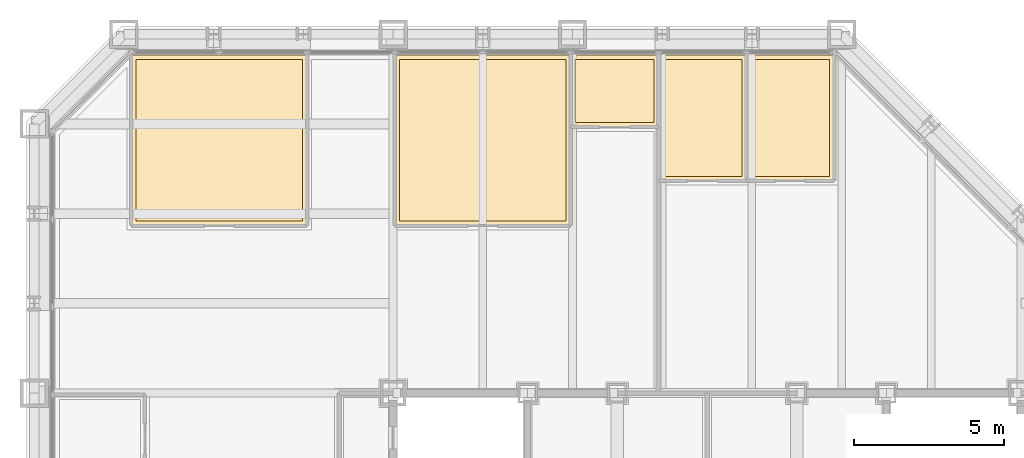
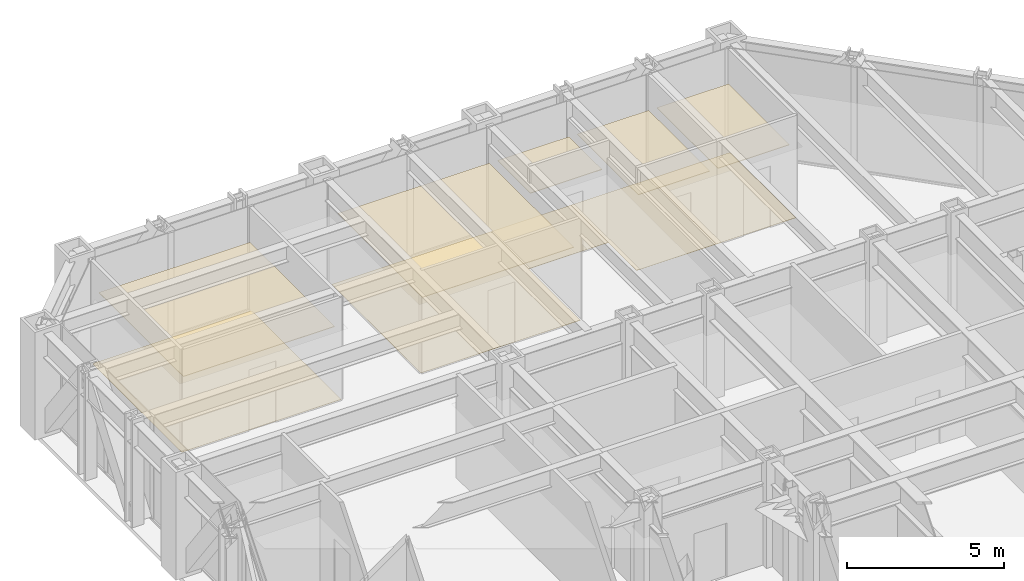
# One storey, part 16 of 16: 10 coverings.
"""IFC4 building model written with IfcOpenShell, lengths in metres."""

from ifc_helpers import new_model, si_unit, direction, frame, origin, place, context, subcontext, project, spatial, polyline, outline, extrude, material, layer, layer_set, type_object, element, save


model = new_model("IFC4")

# Units and contexts
model_context = context("Model", 3, precision=1e-05, world=origin(), true_north=direction((0.0, 1.0)))
body_context = subcontext(model_context, "Body", "Model", "MODEL_VIEW")
ifc_project = project(units=[si_unit("LENGTHUNIT", "METRE"), si_unit("AREAUNIT", "SQUARE_METRE"), si_unit("VOLUMEUNIT", "CUBIC_METRE"), si_unit("PLANEANGLEUNIT", "RADIAN"), si_unit("MASSUNIT", "GRAM", prefix="KILO")], contexts=[model_context])

# Site, building, storey
site_placement = place(None, origin())
site = spatial("IfcSite", under=ifc_project, at=site_placement, CompositionType="ELEMENT")
building_placement = place(site_placement, origin())
building = spatial("IfcBuilding", under=site, at=building_placement, Name="Chuquiago Exchange Tower", CompositionType="ELEMENT")
storey_placement = place(building_placement, frame((0.0, 0.0, 161.39990234375)))
storey = spatial("IfcBuildingStorey", under=building, at=storey_placement, Name="L35", CompositionType="ELEMENT", Elevation=161.39990234375)

# Coverings
ifc_material_1 = material(Name="Mineral fibre tile, 600 x 600, on pale metal grid", Category="mineral fibre")
ifc_layer_1 = layer(ifc_material_1, 0.02001953125)
ifc_layer_set_1 = layer_set([ifc_layer_1], Name="CL1 suspended tile ceiling 20")
covering_type_1 = type_object("IfcCoveringType", Name="CL1 suspended tile ceiling 20", PredefinedType="CEILING", material=ifc_layer_set_1)
covering_1_placement = place(storey_placement, frame((0.0, 0.0, 2.800048828125)))
element("IfcCovering", 1, at=covering_1_placement, inside=storey, type_object=covering_type_1, Name="Ceiling Research office", PredefinedType="CEILING", context=body_context, shape_type="SweptSolid", body=[
    extrude(outline(polyline([(8.974365234375, 44.14990234375), (8.974365234375, 38.75), (3.3984375, 38.75), (3.3984375, 44.14990234375), (8.974365234375, 44.14990234375)])), origin(), (0.0, 0.0, 1.0), 0.02001953125),
])
covering_2_placement = place(storey_placement, frame((0.0, 0.0, 2.800048828125)))
element("IfcCovering", 2, at=covering_2_placement, inside=storey, type_object=covering_type_1, Name="Ceiling Research office", PredefinedType="CEILING", context=body_context, shape_type="SweptSolid", body=[
    extrude(outline(polyline([(17.787841796875, 38.75), (12.212158203125, 38.75), (12.212158203125, 44.14990234375), (17.787841796875, 44.14990234375), (17.787841796875, 38.75)])), origin(), (0.0, 0.0, 1.0), 0.02001953125),
])
covering_3_placement = place(storey_placement, frame((0.0, 0.0, 2.800048828125)))
element("IfcCovering", 3, at=covering_3_placement, inside=storey, type_object=covering_type_1, Name="Ceiling Focus room", PredefinedType="CEILING", context=body_context, shape_type="SweptSolid", body=[
    extrude(outline(polyline([(20.7255859375, 42.050048828125), (18.087890625, 42.050048828125), (18.087890625, 44.14990234375), (20.7255859375, 44.14990234375), (20.7255859375, 42.050048828125)])), origin(), (0.0, 0.0, 1.0), 0.02001953125),
])
covering_4_placement = place(storey_placement, frame((0.0, 0.0, 2.800048828125)))
element("IfcCovering", 4, at=covering_4_placement, inside=storey, type_object=covering_type_1, Name="Ceiling Office", PredefinedType="CEILING", context=body_context, shape_type="SweptSolid", body=[
    extrude(outline(polyline([(23.66357421875, 40.25), (21.025634765625, 40.25), (21.025634765625, 44.14990234375), (23.66357421875, 44.14990234375), (23.66357421875, 40.25)])), origin(), (0.0, 0.0, 1.0), 0.02001953125),
])
covering_5_placement = place(storey_placement, frame((0.0, 0.0, 2.800048828125)))
element("IfcCovering", 5, at=covering_5_placement, inside=storey, type_object=covering_type_1, Name="Ceiling Office", PredefinedType="CEILING", context=body_context, shape_type="SweptSolid", body=[
    extrude(outline(polyline([(26.6015625, 40.25), (23.963623046875, 40.25), (23.963623046875, 44.14990234375), (26.6015625, 44.14990234375), (26.6015625, 40.25)])), origin(), (0.0, 0.0, 1.0), 0.02001953125),
])
ifc_material_2 = material(Name="Carpet tile, 500 x 500, on the floor slab", Category="textile")
ifc_layer_2 = layer(ifc_material_2, 0.010009765625)
ifc_layer_set_2 = layer_set([ifc_layer_2], Name="FL1 carpet tile 10")
covering_type_2 = type_object("IfcCoveringType", Name="FL1 carpet tile 10", PredefinedType="FLOORING", material=ifc_layer_set_2)
covering_6_placement = place(storey_placement, origin())
element("IfcCovering", 6, at=covering_6_placement, inside=storey, type_object=covering_type_2, Name="Floor finish Research office", PredefinedType="FLOORING", context=body_context, shape_type="SweptSolid", body=[
    extrude(outline(polyline([(3.289794921875, 44.300048828125), (9.124267578125, 44.300048828125), (9.124267578125, 38.60009765625), (3.24853515625, 38.60009765625), (3.24853515625, 44.258544921875), (3.289794921875, 44.300048828125)])), origin(), (0.0, 0.0, 1.0), 0.010009765625),
])
covering_7_placement = place(storey_placement, origin())
element("IfcCovering", 7, at=covering_7_placement, inside=storey, type_object=covering_type_2, Name="Floor finish Research office", PredefinedType="FLOORING", context=body_context, shape_type="SweptSolid", body=[
    extrude(outline(polyline([(17.93798828125, 44.300048828125), (17.93798828125, 38.60009765625), (12.06201171875, 38.60009765625), (12.06201171875, 44.300048828125), (17.93798828125, 44.300048828125)])), origin(), (0.0, 0.0, 1.0), 0.010009765625),
])
covering_8_placement = place(storey_placement, origin())
element("IfcCovering", 8, at=covering_8_placement, inside=storey, type_object=covering_type_2, Name="Floor finish Focus room", PredefinedType="FLOORING", context=body_context, shape_type="SweptSolid", body=[
    extrude(outline(polyline([(20.875732421875, 44.300048828125), (20.875732421875, 41.89990234375), (17.93798828125, 41.89990234375), (17.93798828125, 44.300048828125), (20.875732421875, 44.300048828125)])), origin(), (0.0, 0.0, 1.0), 0.010009765625),
])
covering_9_placement = place(storey_placement, origin())
element("IfcCovering", 9, at=covering_9_placement, inside=storey, type_object=covering_type_2, Name="Floor finish Office", PredefinedType="FLOORING", context=body_context, shape_type="SweptSolid", body=[
    extrude(outline(polyline([(23.813720703125, 44.300048828125), (23.813720703125, 40.10009765625), (20.875732421875, 40.10009765625), (20.875732421875, 44.300048828125), (23.813720703125, 44.300048828125)])), origin(), (0.0, 0.0, 1.0), 0.010009765625),
])
covering_10_placement = place(storey_placement, origin())
element("IfcCovering", 10, at=covering_10_placement, inside=storey, type_object=covering_type_2, Name="Floor finish Office", PredefinedType="FLOORING", context=body_context, shape_type="SweptSolid", body=[
    extrude(outline(polyline([(26.710205078125, 44.300048828125), (26.75146484375, 44.258544921875), (26.75146484375, 40.10009765625), (23.813720703125, 40.10009765625), (23.813720703125, 44.300048828125), (26.710205078125, 44.300048828125)])), origin(), (0.0, 0.0, 1.0), 0.010009765625),
])

save(model, "model.ifc")
